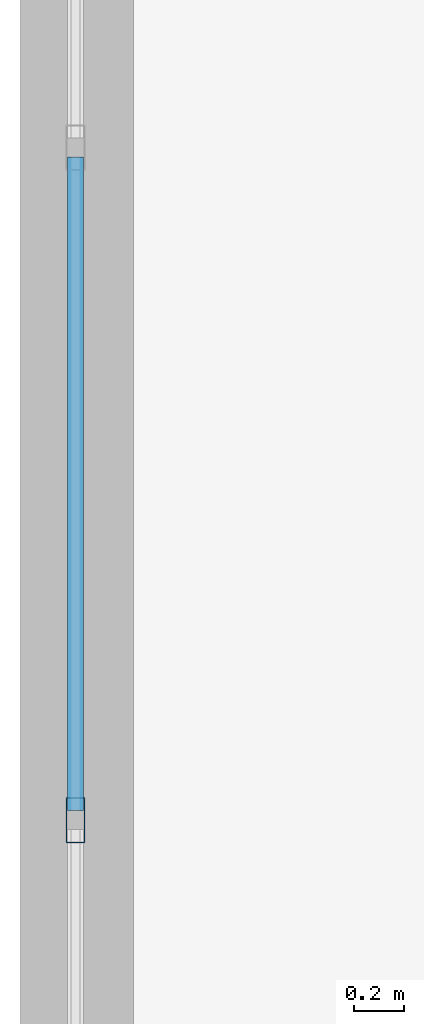
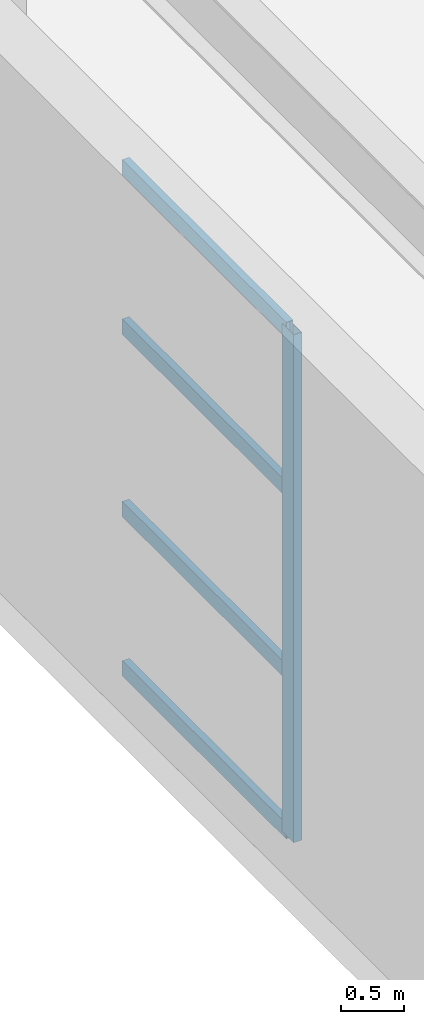
# One storey, part 10 of 34: 5 members, 1 element without a shape of its own.
"""IFC4 building model written with IfcOpenShell, lengths in metres."""

from ifc_helpers import new_model, si_unit, direction, frame, origin, origin_2d, place, context, subcontext, project, spatial, hollow_rectangle, extrude, material, layer, layer_set, material_profile, profile_set, type_object, element, aggregate, save


model = new_model("IFC4")

# Units and contexts
model_context = context("Model", 3, precision=1e-05, world=origin(), true_north=direction((0.0, 1.0)))
body_context = subcontext(model_context, "Body", "Model", "MODEL_VIEW")
ifc_project = project(units=[si_unit("LENGTHUNIT", "METRE"), si_unit("AREAUNIT", "SQUARE_METRE"), si_unit("VOLUMEUNIT", "CUBIC_METRE"), si_unit("PLANEANGLEUNIT", "RADIAN"), si_unit("MASSUNIT", "GRAM", prefix="KILO")], contexts=[model_context])

# Site, building, storey
site_placement = place(None, origin())
site = spatial("IfcSite", under=ifc_project, at=site_placement, CompositionType="ELEMENT")
building_placement = place(site_placement, origin())
building = spatial("IfcBuilding", under=site, at=building_placement, Name="Qiaolan Cultural Towers", CompositionType="ELEMENT")
storey_placement = place(building_placement, frame((0.0, 0.0, 16.5)))
storey = spatial("IfcBuildingStorey", under=building, at=storey_placement, Name="L03", CompositionType="ELEMENT", Elevation=16.5)

# Curtain wall, members
ifc_material_1 = material(Name="Unitized Anodized Aluminium Curtain Wall System", Category="aluminium")
ifc_layer = layer(ifc_material_1, 0.199951171875)
ifc_layer_set = layer_set([ifc_layer], Name="Unitized Anodized Aluminium Curtain Wall System")
curtain_wall_type = type_object("IfcCurtainWallType", Name="CWS-04", PredefinedType="NOTDEFINED", material=ifc_layer_set)
curtain_wall_placement = place(storey_placement, origin())
curtain_wall = element("IfcCurtainWall", 1, at=curtain_wall_placement, inside=storey, type_object=curtain_wall_type, Name="L03 West Exhibition Foyer Curtain Wall", PredefinedType="NOTDEFINED")
ifc_material_2 = material(Name="Extruded Aluminium 6063-T6", Category="aluminium")
ifc_material_profile_1 = material_profile(ifc_material_2, hollow_rectangle(XDim=0.074951171875, YDim=0.179931640625, WallThickness=0.00390625, at=origin_2d()), Name="CWM-180x75x4")
ifc_profile_set_1 = profile_set([ifc_material_profile_1], Name="Extruded Aluminium 6063-T6")
member_type_1 = type_object("IfcMemberType", Name="CWS-04-MUL", PredefinedType="MULLION", material=ifc_profile_set_1)
member_1_placement = place(storey_placement, frame((0.219970703125, 32.666748046875, 0.14990234375), z_axis=(0.0, 0.0, 1.0), x_axis=(-1.0, 0.0, 0.0)))
member_1 = element("IfcMember", 2, at=member_1_placement, type_object=member_type_1, Name="CW-4 mullion 2", PredefinedType="MULLION", context=body_context, shape_type="SweptSolid", body=[
    extrude(hollow_rectangle(XDim=0.074951171875, YDim=0.179931640625, WallThickness=0.00390625, at=origin_2d()), origin(), (0.0, 0.0, 1.0), 4.900146484375),
])
ifc_material_3 = material(Name="Extruded Aluminium 6063-T6", Category="aluminium")
ifc_material_profile_2 = material_profile(ifc_material_3, hollow_rectangle(XDim=0.06494140625, YDim=0.14990234375, WallThickness=0.00390625, at=origin_2d()), Name="CWT-150x65x4")
ifc_profile_set_2 = profile_set([ifc_material_profile_2], Name="Extruded Aluminium 6063-T6")
member_type_2 = type_object("IfcMemberType", Name="CWS-04-TRN", PredefinedType="USERDEFINED", material=ifc_profile_set_2)
member_2_placement = place(storey_placement, frame((0.219970703125, 32.7041015625, 0.1826171875), z_axis=(0.0, 1.0, 0.0), x_axis=(-1.0, 0.0, 0.0)))
member_2 = element("IfcMember", 3, at=member_2_placement, type_object=member_type_2, Name="CW-4 transom 2.1", ObjectType="TRANSOM", PredefinedType="USERDEFINED", context=body_context, shape_type="SweptSolid", body=[
    extrude(hollow_rectangle(XDim=0.06494140625, YDim=0.14990234375, WallThickness=0.00390625, at=origin_2d()), origin(), (0.0, 0.0, 1.0), 2.591796875),
])
member_3_placement = place(storey_placement, frame((0.219970703125, 32.7041015625, 1.719970703125), z_axis=(0.0, 1.0, 0.0), x_axis=(-1.0, 0.0, 0.0)))
member_3 = element("IfcMember", 4, at=member_3_placement, type_object=member_type_2, Name="CW-4 transom 2.2", ObjectType="TRANSOM", PredefinedType="USERDEFINED", context=body_context, shape_type="SweptSolid", body=[
    extrude(hollow_rectangle(XDim=0.06494140625, YDim=0.14990234375, WallThickness=0.00390625, at=origin_2d()), origin(), (0.0, 0.0, 1.0), 2.591796875),
])
member_4_placement = place(storey_placement, frame((0.219970703125, 32.7041015625, 3.47998046875), z_axis=(0.0, 1.0, 0.0), x_axis=(-1.0, 0.0, 0.0)))
member_4 = element("IfcMember", 5, at=member_4_placement, type_object=member_type_2, Name="CW-4 transom 2.3", ObjectType="TRANSOM", PredefinedType="USERDEFINED", context=body_context, shape_type="SweptSolid", body=[
    extrude(hollow_rectangle(XDim=0.06494140625, YDim=0.14990234375, WallThickness=0.00390625, at=origin_2d()), origin(), (0.0, 0.0, 1.0), 2.591796875),
])
member_5_placement = place(storey_placement, frame((0.219970703125, 32.7041015625, 5.017578125), z_axis=(0.0, 1.0, 0.0), x_axis=(-1.0, 0.0, 0.0)))
member_5 = element("IfcMember", 6, at=member_5_placement, type_object=member_type_2, Name="CW-4 transom 2.4", ObjectType="TRANSOM", PredefinedType="USERDEFINED", context=body_context, shape_type="SweptSolid", body=[
    extrude(hollow_rectangle(XDim=0.06494140625, YDim=0.14990234375, WallThickness=0.00390625, at=origin_2d()), origin(), (0.0, 0.0, 1.0), 2.591796875),
])
aggregate(curtain_wall, [member_1, member_2, member_3, member_4, member_5])

save(model, "model.ifc")
